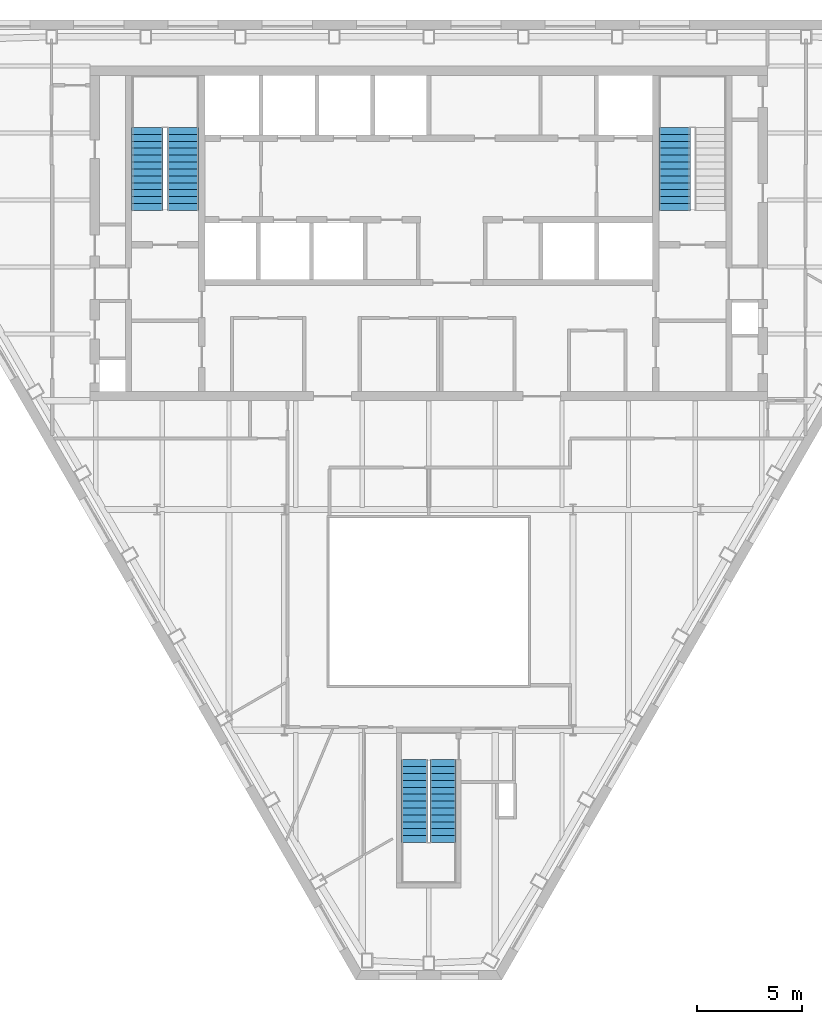
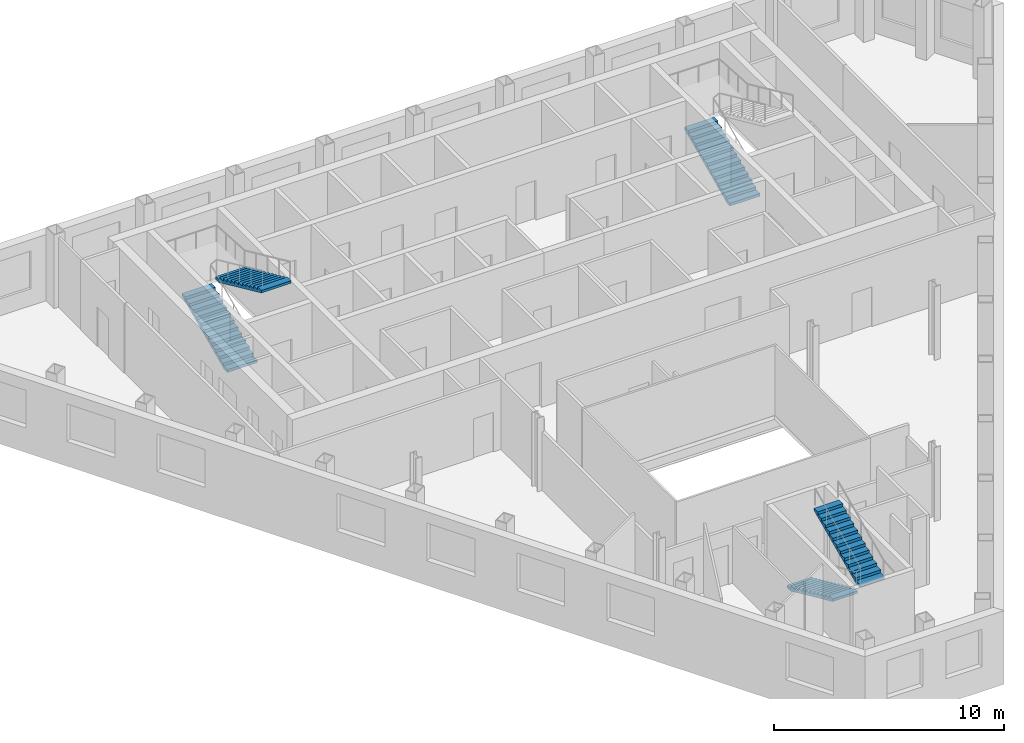
# One storey, part 9 of 11: 5 stair flights, 3 elements without a shape of their own.
"""IFC4 building model written with IfcOpenShell, lengths in metres."""

from ifc_helpers import new_model, si_unit, direction, frame, origin, place, context, subcontext, project, spatial, polygons, material, type_object, element, aggregate, save


model = new_model("IFC4")

# Units and contexts
model_context = context("Model", 3, precision=1e-05, world=origin(), true_north=direction((0.0, 1.0)))
body_context = subcontext(model_context, "Body", "Model", "MODEL_VIEW")
ifc_project = project(units=[si_unit("LENGTHUNIT", "METRE"), si_unit("AREAUNIT", "SQUARE_METRE"), si_unit("VOLUMEUNIT", "CUBIC_METRE"), si_unit("PLANEANGLEUNIT", "RADIAN"), si_unit("MASSUNIT", "GRAM", prefix="KILO")], contexts=[model_context])

# Site, building, storey
site_placement = place(None, origin())
site = spatial("IfcSite", under=ifc_project, at=site_placement, CompositionType="ELEMENT")
building_placement = place(site_placement, origin())
building = spatial("IfcBuilding", under=site, at=building_placement, Name="Njiva Tower", CompositionType="ELEMENT")
storey_placement = place(building_placement, frame((0.0, 0.0, 219.9)))
storey = spatial("IfcBuildingStorey", under=building, at=storey_placement, Name="L49", CompositionType="ELEMENT", Elevation=219.9)

# Stair, stair flights
ifc_material = material(Name="Concrete C40/50", Category="concrete")
stair_type_1 = type_object("IfcStairType", Name="ST1 Exit stair 1250", PredefinedType="HALF_TURN_STAIR", material=ifc_material)
stair_1_placement = place(storey_placement, origin())
stair_1 = element("IfcStair", 1, at=stair_1_placement, inside=storey, type_object=stair_type_1, Name="Stair C", PredefinedType="HALF_TURN_STAIR")
stair_flight_type_1 = type_object("IfcStairFlightType", Name="FL1 Stair flight 1250", PredefinedType="STRAIGHT", material=ifc_material)
stair_flight_1_placement = place(storey_placement, frame((-0.675, -15.16, 0.0), z_axis=(0.0, 0.0, 1.0), x_axis=(0.0, -1.0, 0.0)))
stair_flight_1 = element("IfcStairFlight", 2, at=stair_flight_1_placement, type_object=stair_flight_type_1, Name="ST-C flight 1", NumberOfRisers=13, NumberOfTreads=12, PredefinedType="STRAIGHT", RiserHeight=0.15, TreadLength=0.33, context=body_context, shape_type="Tessellation", body=[
    polygons([(0.0, 0.625, 0.0), (0.0, 0.3125, 0.0), (0.0, 0.0, 0.0), (0.0, -0.3125, 0.0), (0.0, -0.625, 0.0), (0.0, 0.625, 0.15), (0.0, 0.3125, 0.15), (0.0, 0.0, 0.15), (0.0, -0.3125, 0.15), (0.0, -0.625, 0.15), (0.33, 0.625, 0.15), (0.33, 0.3125, 0.15), (0.33, 0.0, 0.15), (0.33, -0.3125, 0.15), (0.33, -0.625, 0.15), (0.33, 0.625, 0.3), (0.33, 0.3125, 0.3), (0.33, 0.0, 0.3), (0.33, -0.3125, 0.3), (0.33, -0.625, 0.3), (0.66, 0.625, 0.3), (0.66, 0.3125, 0.3), (0.66, 0.0, 0.3), (0.66, -0.3125, 0.3), (0.66, -0.625, 0.3), (0.66, 0.625, 0.45), (0.66, 0.3125, 0.45), (0.66, 0.0, 0.45), (0.66, -0.3125, 0.45), (0.66, -0.625, 0.45), (0.99, 0.625, 0.45), (0.99, 0.3125, 0.45), (0.99, 0.0, 0.45), (0.99, -0.3125, 0.45), (0.99, -0.625, 0.45), (0.99, 0.625, 0.6), (0.99, 0.3125, 0.6), (0.99, 0.0, 0.6), (0.99, -0.3125, 0.6), (0.99, -0.625, 0.6), (1.32, 0.625, 0.6), (1.32, 0.3125, 0.6), (1.32, 0.0, 0.6), (1.32, -0.3125, 0.6), (1.32, -0.625, 0.6), (1.32, 0.625, 0.75), (1.32, 0.3125, 0.75), (1.32, 0.0, 0.75), (1.32, -0.3125, 0.75), (1.32, -0.625, 0.75), (1.65, 0.625, 0.75), (1.65, 0.3125, 0.75), (1.65, 0.0, 0.75), (1.65, -0.3125, 0.75), (1.65, -0.625, 0.75), (1.65, 0.625, 0.9), (1.65, 0.3125, 0.9), (1.65, 0.0, 0.9), (1.65, -0.3125, 0.9), (1.65, -0.625, 0.9), (1.98, 0.625, 0.9), (1.98, 0.3125, 0.9), (1.98, 0.0, 0.9), (1.98, -0.3125, 0.9), (1.98, -0.625, 0.9), (1.98, 0.625, 1.05), (1.98, 0.3125, 1.05), (1.98, 0.0, 1.05), (1.98, -0.3125, 1.05), (1.98, -0.625, 1.05), (2.31, 0.625, 1.05), (2.31, 0.3125, 1.05), (2.31, 0.0, 1.05), (2.31, -0.3125, 1.05), (2.31, -0.625, 1.05), (2.31, 0.625, 1.2), (2.31, 0.3125, 1.2), (2.31, 0.0, 1.2), (2.31, -0.3125, 1.2), (2.31, -0.625, 1.2), (2.64, 0.625, 1.2), (2.64, 0.3125, 1.2), (2.64, 0.0, 1.2), (2.64, -0.3125, 1.2), (2.64, -0.625, 1.2), (2.64, 0.625, 1.35), (2.64, 0.3125, 1.35), (2.64, 0.0, 1.35), (2.64, -0.3125, 1.35), (2.64, -0.625, 1.35), (2.97, 0.625, 1.35), (2.97, 0.3125, 1.35), (2.97, 0.0, 1.35), (2.97, -0.3125, 1.35), (2.97, -0.625, 1.35), (2.97, 0.625, 1.5), (2.97, 0.3125, 1.5), (2.97, 0.0, 1.5), (2.97, -0.3125, 1.5), (2.97, -0.625, 1.5), (3.3, 0.625, 1.5), (3.3, 0.3125, 1.5), (3.3, 0.0, 1.5), (3.3, -0.3125, 1.5), (3.3, -0.625, 1.5), (3.3, 0.625, 1.65), (3.3, 0.3125, 1.65), (3.3, 0.0, 1.65), (3.3, -0.3125, 1.65), (3.3, -0.625, 1.65), (3.63, 0.625, 1.65), (3.63, 0.3125, 1.65), (3.63, 0.0, 1.65), (3.63, -0.3125, 1.65), (3.63, -0.625, 1.65), (3.63, 0.625, 1.8), (3.63, 0.3125, 1.8), (3.63, 0.0, 1.8), (3.63, -0.3125, 1.8), (3.63, -0.625, 1.8), (3.96, 0.625, 1.8), (3.96, 0.3125, 1.8), (3.96, 0.0, 1.8), (3.96, -0.3125, 1.8), (3.96, -0.625, 1.8), (3.96, 0.625, 1.6682), (3.96, 0.3125, 1.6682), (3.96, 0.0, 1.6682), (3.96, -0.3125, 1.6682), (3.96, -0.625, 1.6682), (0.29, 0.625, 0.0), (0.29, 0.3125, 0.0), (0.29, 0.0, 0.0), (0.29, -0.3125, 0.0), (0.29, -0.625, 0.0)], [[[1, 6, 11, 16, 21, 26, 31, 36, 41, 46, 51, 56, 61, 66, 71, 76, 81, 86, 91, 96, 101, 106, 111, 116, 121, 126, 131]], [[135, 130, 125, 120, 115, 110, 105, 100, 95, 90, 85, 80, 75, 70, 65, 60, 55, 50, 45, 40, 35, 30, 25, 20, 15, 10, 5]], [[6, 1, 2, 7]], [[7, 2, 3, 8]], [[8, 3, 4, 9]], [[9, 4, 5, 10]], [[11, 6, 7, 12]], [[12, 7, 8, 13]], [[13, 8, 9, 14]], [[14, 9, 10, 15]], [[16, 11, 12, 17]], [[17, 12, 13, 18]], [[18, 13, 14, 19]], [[19, 14, 15, 20]], [[21, 16, 17, 22]], [[22, 17, 18, 23]], [[23, 18, 19, 24]], [[24, 19, 20, 25]], [[26, 21, 22, 27]], [[27, 22, 23, 28]], [[28, 23, 24, 29]], [[29, 24, 25, 30]], [[31, 26, 27, 32]], [[32, 27, 28, 33]], [[33, 28, 29, 34]], [[34, 29, 30, 35]], [[36, 31, 32, 37]], [[37, 32, 33, 38]], [[38, 33, 34, 39]], [[39, 34, 35, 40]], [[41, 36, 37, 42]], [[42, 37, 38, 43]], [[43, 38, 39, 44]], [[44, 39, 40, 45]], [[46, 41, 42, 47]], [[47, 42, 43, 48]], [[48, 43, 44, 49]], [[49, 44, 45, 50]], [[51, 46, 47, 52]], [[52, 47, 48, 53]], [[53, 48, 49, 54]], [[54, 49, 50, 55]], [[56, 51, 52, 57]], [[57, 52, 53, 58]], [[58, 53, 54, 59]], [[59, 54, 55, 60]], [[61, 56, 57, 62]], [[62, 57, 58, 63]], [[63, 58, 59, 64]], [[64, 59, 60, 65]], [[66, 61, 62, 67]], [[67, 62, 63, 68]], [[68, 63, 64, 69]], [[69, 64, 65, 70]], [[71, 66, 67, 72]], [[72, 67, 68, 73]], [[73, 68, 69, 74]], [[74, 69, 70, 75]], [[76, 71, 72, 77]], [[77, 72, 73, 78]], [[78, 73, 74, 79]], [[79, 74, 75, 80]], [[81, 76, 77, 82]], [[82, 77, 78, 83]], [[83, 78, 79, 84]], [[84, 79, 80, 85]], [[86, 81, 82, 87]], [[87, 82, 83, 88]], [[88, 83, 84, 89]], [[89, 84, 85, 90]], [[91, 86, 87, 92]], [[92, 87, 88, 93]], [[93, 88, 89, 94]], [[94, 89, 90, 95]], [[96, 91, 92, 97]], [[97, 92, 93, 98]], [[98, 93, 94, 99]], [[99, 94, 95, 100]], [[101, 96, 97, 102]], [[102, 97, 98, 103]], [[103, 98, 99, 104]], [[104, 99, 100, 105]], [[106, 101, 102, 107]], [[107, 102, 103, 108]], [[108, 103, 104, 109]], [[109, 104, 105, 110]], [[111, 106, 107, 112]], [[112, 107, 108, 113]], [[113, 108, 109, 114]], [[114, 109, 110, 115]], [[116, 111, 112, 117]], [[117, 112, 113, 118]], [[118, 113, 114, 119]], [[119, 114, 115, 120]], [[121, 116, 117, 122]], [[122, 117, 118, 123]], [[123, 118, 119, 124]], [[124, 119, 120, 125]], [[126, 121, 122, 127]], [[127, 122, 123, 128]], [[128, 123, 124, 129]], [[129, 124, 125, 130]], [[131, 126, 127, 132]], [[132, 127, 128, 133]], [[133, 128, 129, 134]], [[134, 129, 130, 135]], [[1, 131, 132, 2]], [[2, 132, 133, 3]], [[3, 133, 134, 4]], [[4, 134, 135, 5]]], closed=True),
])
stair_flight_2_placement = place(storey_placement, frame((0.675, -19.12, 1.95), z_axis=(0.0, 0.0, 1.0), x_axis=(0.0, 1.0, 0.0)))
stair_flight_2 = element("IfcStairFlight", 3, at=stair_flight_2_placement, type_object=stair_flight_type_1, Name="ST-C flight 2", NumberOfRisers=13, NumberOfTreads=12, PredefinedType="STRAIGHT", RiserHeight=0.15, TreadLength=0.33, context=body_context, shape_type="Tessellation", body=[
    polygons([(0.0, 0.625, 0.0), (0.0, 0.3125, 0.0), (0.0, 0.0, 0.0), (0.0, -0.3125, 0.0), (0.0, -0.625, 0.0), (0.0, 0.625, 0.15), (0.0, 0.3125, 0.15), (0.0, 0.0, 0.15), (0.0, -0.3125, 0.15), (0.0, -0.625, 0.15), (0.33, 0.625, 0.15), (0.33, 0.3125, 0.15), (0.33, 0.0, 0.15), (0.33, -0.3125, 0.15), (0.33, -0.625, 0.15), (0.33, 0.625, 0.3), (0.33, 0.3125, 0.3), (0.33, 0.0, 0.3), (0.33, -0.3125, 0.3), (0.33, -0.625, 0.3), (0.66, 0.625, 0.3), (0.66, 0.3125, 0.3), (0.66, 0.0, 0.3), (0.66, -0.3125, 0.3), (0.66, -0.625, 0.3), (0.66, 0.625, 0.45), (0.66, 0.3125, 0.45), (0.66, 0.0, 0.45), (0.66, -0.3125, 0.45), (0.66, -0.625, 0.45), (0.99, 0.625, 0.45), (0.99, 0.3125, 0.45), (0.99, 0.0, 0.45), (0.99, -0.3125, 0.45), (0.99, -0.625, 0.45), (0.99, 0.625, 0.6), (0.99, 0.3125, 0.6), (0.99, 0.0, 0.6), (0.99, -0.3125, 0.6), (0.99, -0.625, 0.6), (1.32, 0.625, 0.6), (1.32, 0.3125, 0.6), (1.32, 0.0, 0.6), (1.32, -0.3125, 0.6), (1.32, -0.625, 0.6), (1.32, 0.625, 0.75), (1.32, 0.3125, 0.75), (1.32, 0.0, 0.75), (1.32, -0.3125, 0.75), (1.32, -0.625, 0.75), (1.65, 0.625, 0.75), (1.65, 0.3125, 0.75), (1.65, 0.0, 0.75), (1.65, -0.3125, 0.75), (1.65, -0.625, 0.75), (1.65, 0.625, 0.9), (1.65, 0.3125, 0.9), (1.65, 0.0, 0.9), (1.65, -0.3125, 0.9), (1.65, -0.625, 0.9), (1.98, 0.625, 0.9), (1.98, 0.3125, 0.9), (1.98, 0.0, 0.9), (1.98, -0.3125, 0.9), (1.98, -0.625, 0.9), (1.98, 0.625, 1.05), (1.98, 0.3125, 1.05), (1.98, 0.0, 1.05), (1.98, -0.3125, 1.05), (1.98, -0.625, 1.05), (2.31, 0.625, 1.05), (2.31, 0.3125, 1.05), (2.31, 0.0, 1.05), (2.31, -0.3125, 1.05), (2.31, -0.625, 1.05), (2.31, 0.625, 1.2), (2.31, 0.3125, 1.2), (2.31, 0.0, 1.2), (2.31, -0.3125, 1.2), (2.31, -0.625, 1.2), (2.64, 0.625, 1.2), (2.64, 0.3125, 1.2), (2.64, 0.0, 1.2), (2.64, -0.3125, 1.2), (2.64, -0.625, 1.2), (2.64, 0.625, 1.35), (2.64, 0.3125, 1.35), (2.64, 0.0, 1.35), (2.64, -0.3125, 1.35), (2.64, -0.625, 1.35), (2.97, 0.625, 1.35), (2.97, 0.3125, 1.35), (2.97, 0.0, 1.35), (2.97, -0.3125, 1.35), (2.97, -0.625, 1.35), (2.97, 0.625, 1.5), (2.97, 0.3125, 1.5), (2.97, 0.0, 1.5), (2.97, -0.3125, 1.5), (2.97, -0.625, 1.5), (3.3, 0.625, 1.5), (3.3, 0.3125, 1.5), (3.3, 0.0, 1.5), (3.3, -0.3125, 1.5), (3.3, -0.625, 1.5), (3.3, 0.625, 1.65), (3.3, 0.3125, 1.65), (3.3, 0.0, 1.65), (3.3, -0.3125, 1.65), (3.3, -0.625, 1.65), (3.63, 0.625, 1.65), (3.63, 0.3125, 1.65), (3.63, 0.0, 1.65), (3.63, -0.3125, 1.65), (3.63, -0.625, 1.65), (3.63, 0.625, 1.8), (3.63, 0.3125, 1.8), (3.63, 0.0, 1.8), (3.63, -0.3125, 1.8), (3.63, -0.625, 1.8), (3.96, 0.625, 1.8), (3.96, 0.3125, 1.8), (3.96, 0.0, 1.8), (3.96, -0.3125, 1.8), (3.96, -0.625, 1.8), (3.96, 0.625, 1.6682), (3.96, 0.3125, 1.6682), (3.96, 0.0, 1.6682), (3.96, -0.3125, 1.6682), (3.96, -0.625, 1.6682), (0.29, 0.625, 0.0), (0.29, 0.3125, 0.0), (0.29, 0.0, 0.0), (0.29, -0.3125, 0.0), (0.29, -0.625, 0.0)], [[[1, 6, 11, 16, 21, 26, 31, 36, 41, 46, 51, 56, 61, 66, 71, 76, 81, 86, 91, 96, 101, 106, 111, 116, 121, 126, 131]], [[135, 130, 125, 120, 115, 110, 105, 100, 95, 90, 85, 80, 75, 70, 65, 60, 55, 50, 45, 40, 35, 30, 25, 20, 15, 10, 5]], [[6, 1, 2, 7]], [[7, 2, 3, 8]], [[8, 3, 4, 9]], [[9, 4, 5, 10]], [[11, 6, 7, 12]], [[12, 7, 8, 13]], [[13, 8, 9, 14]], [[14, 9, 10, 15]], [[16, 11, 12, 17]], [[17, 12, 13, 18]], [[18, 13, 14, 19]], [[19, 14, 15, 20]], [[21, 16, 17, 22]], [[22, 17, 18, 23]], [[23, 18, 19, 24]], [[24, 19, 20, 25]], [[26, 21, 22, 27]], [[27, 22, 23, 28]], [[28, 23, 24, 29]], [[29, 24, 25, 30]], [[31, 26, 27, 32]], [[32, 27, 28, 33]], [[33, 28, 29, 34]], [[34, 29, 30, 35]], [[36, 31, 32, 37]], [[37, 32, 33, 38]], [[38, 33, 34, 39]], [[39, 34, 35, 40]], [[41, 36, 37, 42]], [[42, 37, 38, 43]], [[43, 38, 39, 44]], [[44, 39, 40, 45]], [[46, 41, 42, 47]], [[47, 42, 43, 48]], [[48, 43, 44, 49]], [[49, 44, 45, 50]], [[51, 46, 47, 52]], [[52, 47, 48, 53]], [[53, 48, 49, 54]], [[54, 49, 50, 55]], [[56, 51, 52, 57]], [[57, 52, 53, 58]], [[58, 53, 54, 59]], [[59, 54, 55, 60]], [[61, 56, 57, 62]], [[62, 57, 58, 63]], [[63, 58, 59, 64]], [[64, 59, 60, 65]], [[66, 61, 62, 67]], [[67, 62, 63, 68]], [[68, 63, 64, 69]], [[69, 64, 65, 70]], [[71, 66, 67, 72]], [[72, 67, 68, 73]], [[73, 68, 69, 74]], [[74, 69, 70, 75]], [[76, 71, 72, 77]], [[77, 72, 73, 78]], [[78, 73, 74, 79]], [[79, 74, 75, 80]], [[81, 76, 77, 82]], [[82, 77, 78, 83]], [[83, 78, 79, 84]], [[84, 79, 80, 85]], [[86, 81, 82, 87]], [[87, 82, 83, 88]], [[88, 83, 84, 89]], [[89, 84, 85, 90]], [[91, 86, 87, 92]], [[92, 87, 88, 93]], [[93, 88, 89, 94]], [[94, 89, 90, 95]], [[96, 91, 92, 97]], [[97, 92, 93, 98]], [[98, 93, 94, 99]], [[99, 94, 95, 100]], [[101, 96, 97, 102]], [[102, 97, 98, 103]], [[103, 98, 99, 104]], [[104, 99, 100, 105]], [[106, 101, 102, 107]], [[107, 102, 103, 108]], [[108, 103, 104, 109]], [[109, 104, 105, 110]], [[111, 106, 107, 112]], [[112, 107, 108, 113]], [[113, 108, 109, 114]], [[114, 109, 110, 115]], [[116, 111, 112, 117]], [[117, 112, 113, 118]], [[118, 113, 114, 119]], [[119, 114, 115, 120]], [[121, 116, 117, 122]], [[122, 117, 118, 123]], [[123, 118, 119, 124]], [[124, 119, 120, 125]], [[126, 121, 122, 127]], [[127, 122, 123, 128]], [[128, 123, 124, 129]], [[129, 124, 125, 130]], [[131, 126, 127, 132]], [[132, 127, 128, 133]], [[133, 128, 129, 134]], [[134, 129, 130, 135]], [[1, 131, 132, 2]], [[2, 132, 133, 3]], [[3, 133, 134, 4]], [[4, 134, 135, 5]]], closed=True),
])
aggregate(stair_1, [stair_flight_1, stair_flight_2])

stair_type_2 = type_object("IfcStairType", Name="ST4 Exit stair 1500", PredefinedType="HALF_TURN_STAIR", material=ifc_material)
stair_2_placement = place(storey_placement, origin())
stair_2 = element("IfcStair", 4, at=stair_2_placement, inside=storey, type_object=stair_type_2, Name="Stair A", PredefinedType="HALF_TURN_STAIR")
stair_flight_type_2 = type_object("IfcStairFlightType", Name="FL4 Stair flight 1500", PredefinedType="STRAIGHT", material=ifc_material)
stair_flight_3_placement = place(storey_placement, frame((-13.45, 11.1, 0.0), z_axis=(0.0, 0.0, 1.0), x_axis=(0.0, 1.0, 0.0)))
stair_flight_3 = element("IfcStairFlight", 5, at=stair_flight_3_placement, type_object=stair_flight_type_2, Name="ST-A flight 1", NumberOfRisers=13, NumberOfTreads=12, PredefinedType="STRAIGHT", RiserHeight=0.15, TreadLength=0.33, context=body_context, shape_type="Tessellation", body=[
    polygons([(0.0, 0.75, 0.0), (0.0, 0.375, 0.0), (0.0, 0.0, 0.0), (0.0, -0.375, 0.0), (0.0, -0.75, 0.0), (0.0, 0.75, 0.15), (0.0, 0.375, 0.15), (0.0, 0.0, 0.15), (0.0, -0.375, 0.15), (0.0, -0.75, 0.15), (0.33, 0.75, 0.15), (0.33, 0.375, 0.15), (0.33, 0.0, 0.15), (0.33, -0.375, 0.15), (0.33, -0.75, 0.15), (0.33, 0.75, 0.3), (0.33, 0.375, 0.3), (0.33, 0.0, 0.3), (0.33, -0.375, 0.3), (0.33, -0.75, 0.3), (0.66, 0.75, 0.3), (0.66, 0.375, 0.3), (0.66, 0.0, 0.3), (0.66, -0.375, 0.3), (0.66, -0.75, 0.3), (0.66, 0.75, 0.45), (0.66, 0.375, 0.45), (0.66, 0.0, 0.45), (0.66, -0.375, 0.45), (0.66, -0.75, 0.45), (0.99, 0.75, 0.45), (0.99, 0.375, 0.45), (0.99, 0.0, 0.45), (0.99, -0.375, 0.45), (0.99, -0.75, 0.45), (0.99, 0.75, 0.6), (0.99, 0.375, 0.6), (0.99, 0.0, 0.6), (0.99, -0.375, 0.6), (0.99, -0.75, 0.6), (1.32, 0.75, 0.6), (1.32, 0.375, 0.6), (1.32, 0.0, 0.6), (1.32, -0.375, 0.6), (1.32, -0.75, 0.6), (1.32, 0.75, 0.75), (1.32, 0.375, 0.75), (1.32, 0.0, 0.75), (1.32, -0.375, 0.75), (1.32, -0.75, 0.75), (1.65, 0.75, 0.75), (1.65, 0.375, 0.75), (1.65, 0.0, 0.75), (1.65, -0.375, 0.75), (1.65, -0.75, 0.75), (1.65, 0.75, 0.9), (1.65, 0.375, 0.9), (1.65, 0.0, 0.9), (1.65, -0.375, 0.9), (1.65, -0.75, 0.9), (1.98, 0.75, 0.9), (1.98, 0.375, 0.9), (1.98, 0.0, 0.9), (1.98, -0.375, 0.9), (1.98, -0.75, 0.9), (1.98, 0.75, 1.05), (1.98, 0.375, 1.05), (1.98, 0.0, 1.05), (1.98, -0.375, 1.05), (1.98, -0.75, 1.05), (2.31, 0.75, 1.05), (2.31, 0.375, 1.05), (2.31, 0.0, 1.05), (2.31, -0.375, 1.05), (2.31, -0.75, 1.05), (2.31, 0.75, 1.2), (2.31, 0.375, 1.2), (2.31, 0.0, 1.2), (2.31, -0.375, 1.2), (2.31, -0.75, 1.2), (2.64, 0.75, 1.2), (2.64, 0.375, 1.2), (2.64, 0.0, 1.2), (2.64, -0.375, 1.2), (2.64, -0.75, 1.2), (2.64, 0.75, 1.35), (2.64, 0.375, 1.35), (2.64, 0.0, 1.35), (2.64, -0.375, 1.35), (2.64, -0.75, 1.35), (2.97, 0.75, 1.35), (2.97, 0.375, 1.35), (2.97, 0.0, 1.35), (2.97, -0.375, 1.35), (2.97, -0.75, 1.35), (2.97, 0.75, 1.5), (2.97, 0.375, 1.5), (2.97, 0.0, 1.5), (2.97, -0.375, 1.5), (2.97, -0.75, 1.5), (3.3, 0.75, 1.5), (3.3, 0.375, 1.5), (3.3, 0.0, 1.5), (3.3, -0.375, 1.5), (3.3, -0.75, 1.5), (3.3, 0.75, 1.65), (3.3, 0.375, 1.65), (3.3, 0.0, 1.65), (3.3, -0.375, 1.65), (3.3, -0.75, 1.65), (3.63, 0.75, 1.65), (3.63, 0.375, 1.65), (3.63, 0.0, 1.65), (3.63, -0.375, 1.65), (3.63, -0.75, 1.65), (3.63, 0.75, 1.8), (3.63, 0.375, 1.8), (3.63, 0.0, 1.8), (3.63, -0.375, 1.8), (3.63, -0.75, 1.8), (3.96, 0.75, 1.8), (3.96, 0.375, 1.8), (3.96, 0.0, 1.8), (3.96, -0.375, 1.8), (3.96, -0.75, 1.8), (3.96, 0.75, 1.6682), (3.96, 0.375, 1.6682), (3.96, 0.0, 1.6682), (3.96, -0.375, 1.6682), (3.96, -0.75, 1.6682), (0.29, 0.75, 0.0), (0.29, 0.375, 0.0), (0.29, 0.0, 0.0), (0.29, -0.375, 0.0), (0.29, -0.75, 0.0)], [[[1, 6, 11, 16, 21, 26, 31, 36, 41, 46, 51, 56, 61, 66, 71, 76, 81, 86, 91, 96, 101, 106, 111, 116, 121, 126, 131]], [[135, 130, 125, 120, 115, 110, 105, 100, 95, 90, 85, 80, 75, 70, 65, 60, 55, 50, 45, 40, 35, 30, 25, 20, 15, 10, 5]], [[6, 1, 2, 7]], [[7, 2, 3, 8]], [[8, 3, 4, 9]], [[9, 4, 5, 10]], [[11, 6, 7, 12]], [[12, 7, 8, 13]], [[13, 8, 9, 14]], [[14, 9, 10, 15]], [[16, 11, 12, 17]], [[17, 12, 13, 18]], [[18, 13, 14, 19]], [[19, 14, 15, 20]], [[21, 16, 17, 22]], [[22, 17, 18, 23]], [[23, 18, 19, 24]], [[24, 19, 20, 25]], [[26, 21, 22, 27]], [[27, 22, 23, 28]], [[28, 23, 24, 29]], [[29, 24, 25, 30]], [[31, 26, 27, 32]], [[32, 27, 28, 33]], [[33, 28, 29, 34]], [[34, 29, 30, 35]], [[36, 31, 32, 37]], [[37, 32, 33, 38]], [[38, 33, 34, 39]], [[39, 34, 35, 40]], [[41, 36, 37, 42]], [[42, 37, 38, 43]], [[43, 38, 39, 44]], [[44, 39, 40, 45]], [[46, 41, 42, 47]], [[47, 42, 43, 48]], [[48, 43, 44, 49]], [[49, 44, 45, 50]], [[51, 46, 47, 52]], [[52, 47, 48, 53]], [[53, 48, 49, 54]], [[54, 49, 50, 55]], [[56, 51, 52, 57]], [[57, 52, 53, 58]], [[58, 53, 54, 59]], [[59, 54, 55, 60]], [[61, 56, 57, 62]], [[62, 57, 58, 63]], [[63, 58, 59, 64]], [[64, 59, 60, 65]], [[66, 61, 62, 67]], [[67, 62, 63, 68]], [[68, 63, 64, 69]], [[69, 64, 65, 70]], [[71, 66, 67, 72]], [[72, 67, 68, 73]], [[73, 68, 69, 74]], [[74, 69, 70, 75]], [[76, 71, 72, 77]], [[77, 72, 73, 78]], [[78, 73, 74, 79]], [[79, 74, 75, 80]], [[81, 76, 77, 82]], [[82, 77, 78, 83]], [[83, 78, 79, 84]], [[84, 79, 80, 85]], [[86, 81, 82, 87]], [[87, 82, 83, 88]], [[88, 83, 84, 89]], [[89, 84, 85, 90]], [[91, 86, 87, 92]], [[92, 87, 88, 93]], [[93, 88, 89, 94]], [[94, 89, 90, 95]], [[96, 91, 92, 97]], [[97, 92, 93, 98]], [[98, 93, 94, 99]], [[99, 94, 95, 100]], [[101, 96, 97, 102]], [[102, 97, 98, 103]], [[103, 98, 99, 104]], [[104, 99, 100, 105]], [[106, 101, 102, 107]], [[107, 102, 103, 108]], [[108, 103, 104, 109]], [[109, 104, 105, 110]], [[111, 106, 107, 112]], [[112, 107, 108, 113]], [[113, 108, 109, 114]], [[114, 109, 110, 115]], [[116, 111, 112, 117]], [[117, 112, 113, 118]], [[118, 113, 114, 119]], [[119, 114, 115, 120]], [[121, 116, 117, 122]], [[122, 117, 118, 123]], [[123, 118, 119, 124]], [[124, 119, 120, 125]], [[126, 121, 122, 127]], [[127, 122, 123, 128]], [[128, 123, 124, 129]], [[129, 124, 125, 130]], [[131, 126, 127, 132]], [[132, 127, 128, 133]], [[133, 128, 129, 134]], [[134, 129, 130, 135]], [[1, 131, 132, 2]], [[2, 132, 133, 3]], [[3, 133, 134, 4]], [[4, 134, 135, 5]]], closed=True),
])
stair_flight_4_placement = place(storey_placement, frame((-11.75, 15.06, 1.95), z_axis=(0.0, 0.0, 1.0), x_axis=(0.0, -1.0, 0.0)))
stair_flight_4 = element("IfcStairFlight", 6, at=stair_flight_4_placement, type_object=stair_flight_type_2, Name="ST-A flight 2", NumberOfRisers=13, NumberOfTreads=12, PredefinedType="STRAIGHT", RiserHeight=0.15, TreadLength=0.33, context=body_context, shape_type="Tessellation", body=[
    polygons([(0.0, 0.75, 0.0), (0.0, 0.375, 0.0), (0.0, 0.0, 0.0), (0.0, -0.375, 0.0), (0.0, -0.75, 0.0), (0.0, 0.75, 0.15), (0.0, 0.375, 0.15), (0.0, 0.0, 0.15), (0.0, -0.375, 0.15), (0.0, -0.75, 0.15), (0.33, 0.75, 0.15), (0.33, 0.375, 0.15), (0.33, 0.0, 0.15), (0.33, -0.375, 0.15), (0.33, -0.75, 0.15), (0.33, 0.75, 0.3), (0.33, 0.375, 0.3), (0.33, 0.0, 0.3), (0.33, -0.375, 0.3), (0.33, -0.75, 0.3), (0.66, 0.75, 0.3), (0.66, 0.375, 0.3), (0.66, 0.0, 0.3), (0.66, -0.375, 0.3), (0.66, -0.75, 0.3), (0.66, 0.75, 0.45), (0.66, 0.375, 0.45), (0.66, 0.0, 0.45), (0.66, -0.375, 0.45), (0.66, -0.75, 0.45), (0.99, 0.75, 0.45), (0.99, 0.375, 0.45), (0.99, 0.0, 0.45), (0.99, -0.375, 0.45), (0.99, -0.75, 0.45), (0.99, 0.75, 0.6), (0.99, 0.375, 0.6), (0.99, 0.0, 0.6), (0.99, -0.375, 0.6), (0.99, -0.75, 0.6), (1.32, 0.75, 0.6), (1.32, 0.375, 0.6), (1.32, 0.0, 0.6), (1.32, -0.375, 0.6), (1.32, -0.75, 0.6), (1.32, 0.75, 0.75), (1.32, 0.375, 0.75), (1.32, 0.0, 0.75), (1.32, -0.375, 0.75), (1.32, -0.75, 0.75), (1.65, 0.75, 0.75), (1.65, 0.375, 0.75), (1.65, 0.0, 0.75), (1.65, -0.375, 0.75), (1.65, -0.75, 0.75), (1.65, 0.75, 0.9), (1.65, 0.375, 0.9), (1.65, 0.0, 0.9), (1.65, -0.375, 0.9), (1.65, -0.75, 0.9), (1.98, 0.75, 0.9), (1.98, 0.375, 0.9), (1.98, 0.0, 0.9), (1.98, -0.375, 0.9), (1.98, -0.75, 0.9), (1.98, 0.75, 1.05), (1.98, 0.375, 1.05), (1.98, 0.0, 1.05), (1.98, -0.375, 1.05), (1.98, -0.75, 1.05), (2.31, 0.75, 1.05), (2.31, 0.375, 1.05), (2.31, 0.0, 1.05), (2.31, -0.375, 1.05), (2.31, -0.75, 1.05), (2.31, 0.75, 1.2), (2.31, 0.375, 1.2), (2.31, 0.0, 1.2), (2.31, -0.375, 1.2), (2.31, -0.75, 1.2), (2.64, 0.75, 1.2), (2.64, 0.375, 1.2), (2.64, 0.0, 1.2), (2.64, -0.375, 1.2), (2.64, -0.75, 1.2), (2.64, 0.75, 1.35), (2.64, 0.375, 1.35), (2.64, 0.0, 1.35), (2.64, -0.375, 1.35), (2.64, -0.75, 1.35), (2.97, 0.75, 1.35), (2.97, 0.375, 1.35), (2.97, 0.0, 1.35), (2.97, -0.375, 1.35), (2.97, -0.75, 1.35), (2.97, 0.75, 1.5), (2.97, 0.375, 1.5), (2.97, 0.0, 1.5), (2.97, -0.375, 1.5), (2.97, -0.75, 1.5), (3.3, 0.75, 1.5), (3.3, 0.375, 1.5), (3.3, 0.0, 1.5), (3.3, -0.375, 1.5), (3.3, -0.75, 1.5), (3.3, 0.75, 1.65), (3.3, 0.375, 1.65), (3.3, 0.0, 1.65), (3.3, -0.375, 1.65), (3.3, -0.75, 1.65), (3.63, 0.75, 1.65), (3.63, 0.375, 1.65), (3.63, 0.0, 1.65), (3.63, -0.375, 1.65), (3.63, -0.75, 1.65), (3.63, 0.75, 1.8), (3.63, 0.375, 1.8), (3.63, 0.0, 1.8), (3.63, -0.375, 1.8), (3.63, -0.75, 1.8), (3.96, 0.75, 1.8), (3.96, 0.375, 1.8), (3.96, 0.0, 1.8), (3.96, -0.375, 1.8), (3.96, -0.75, 1.8), (3.96, 0.75, 1.6682), (3.96, 0.375, 1.6682), (3.96, 0.0, 1.6682), (3.96, -0.375, 1.6682), (3.96, -0.75, 1.6682), (0.29, 0.75, 0.0), (0.29, 0.375, 0.0), (0.29, 0.0, 0.0), (0.29, -0.375, 0.0), (0.29, -0.75, 0.0)], [[[1, 6, 11, 16, 21, 26, 31, 36, 41, 46, 51, 56, 61, 66, 71, 76, 81, 86, 91, 96, 101, 106, 111, 116, 121, 126, 131]], [[135, 130, 125, 120, 115, 110, 105, 100, 95, 90, 85, 80, 75, 70, 65, 60, 55, 50, 45, 40, 35, 30, 25, 20, 15, 10, 5]], [[6, 1, 2, 7]], [[7, 2, 3, 8]], [[8, 3, 4, 9]], [[9, 4, 5, 10]], [[11, 6, 7, 12]], [[12, 7, 8, 13]], [[13, 8, 9, 14]], [[14, 9, 10, 15]], [[16, 11, 12, 17]], [[17, 12, 13, 18]], [[18, 13, 14, 19]], [[19, 14, 15, 20]], [[21, 16, 17, 22]], [[22, 17, 18, 23]], [[23, 18, 19, 24]], [[24, 19, 20, 25]], [[26, 21, 22, 27]], [[27, 22, 23, 28]], [[28, 23, 24, 29]], [[29, 24, 25, 30]], [[31, 26, 27, 32]], [[32, 27, 28, 33]], [[33, 28, 29, 34]], [[34, 29, 30, 35]], [[36, 31, 32, 37]], [[37, 32, 33, 38]], [[38, 33, 34, 39]], [[39, 34, 35, 40]], [[41, 36, 37, 42]], [[42, 37, 38, 43]], [[43, 38, 39, 44]], [[44, 39, 40, 45]], [[46, 41, 42, 47]], [[47, 42, 43, 48]], [[48, 43, 44, 49]], [[49, 44, 45, 50]], [[51, 46, 47, 52]], [[52, 47, 48, 53]], [[53, 48, 49, 54]], [[54, 49, 50, 55]], [[56, 51, 52, 57]], [[57, 52, 53, 58]], [[58, 53, 54, 59]], [[59, 54, 55, 60]], [[61, 56, 57, 62]], [[62, 57, 58, 63]], [[63, 58, 59, 64]], [[64, 59, 60, 65]], [[66, 61, 62, 67]], [[67, 62, 63, 68]], [[68, 63, 64, 69]], [[69, 64, 65, 70]], [[71, 66, 67, 72]], [[72, 67, 68, 73]], [[73, 68, 69, 74]], [[74, 69, 70, 75]], [[76, 71, 72, 77]], [[77, 72, 73, 78]], [[78, 73, 74, 79]], [[79, 74, 75, 80]], [[81, 76, 77, 82]], [[82, 77, 78, 83]], [[83, 78, 79, 84]], [[84, 79, 80, 85]], [[86, 81, 82, 87]], [[87, 82, 83, 88]], [[88, 83, 84, 89]], [[89, 84, 85, 90]], [[91, 86, 87, 92]], [[92, 87, 88, 93]], [[93, 88, 89, 94]], [[94, 89, 90, 95]], [[96, 91, 92, 97]], [[97, 92, 93, 98]], [[98, 93, 94, 99]], [[99, 94, 95, 100]], [[101, 96, 97, 102]], [[102, 97, 98, 103]], [[103, 98, 99, 104]], [[104, 99, 100, 105]], [[106, 101, 102, 107]], [[107, 102, 103, 108]], [[108, 103, 104, 109]], [[109, 104, 105, 110]], [[111, 106, 107, 112]], [[112, 107, 108, 113]], [[113, 108, 109, 114]], [[114, 109, 110, 115]], [[116, 111, 112, 117]], [[117, 112, 113, 118]], [[118, 113, 114, 119]], [[119, 114, 115, 120]], [[121, 116, 117, 122]], [[122, 117, 118, 123]], [[123, 118, 119, 124]], [[124, 119, 120, 125]], [[126, 121, 122, 127]], [[127, 122, 123, 128]], [[128, 123, 124, 129]], [[129, 124, 125, 130]], [[131, 126, 127, 132]], [[132, 127, 128, 133]], [[133, 128, 129, 134]], [[134, 129, 130, 135]], [[1, 131, 132, 2]], [[2, 132, 133, 3]], [[3, 133, 134, 4]], [[4, 134, 135, 5]]], closed=True),
])
aggregate(stair_2, [stair_flight_3, stair_flight_4])

# Stair, stair flight
stair_3_placement = place(storey_placement, origin())
stair_3 = element("IfcStair", 7, at=stair_3_placement, inside=storey, type_object=stair_type_2, Name="Stair B", PredefinedType="HALF_TURN_STAIR")
stair_flight_5_placement = place(storey_placement, frame((11.75, 11.1, 0.0), z_axis=(0.0, 0.0, 1.0), x_axis=(0.0, 1.0, 0.0)))
stair_flight_5 = element("IfcStairFlight", 8, at=stair_flight_5_placement, type_object=stair_flight_type_2, Name="ST-B flight 1", NumberOfRisers=13, NumberOfTreads=12, PredefinedType="STRAIGHT", RiserHeight=0.15, TreadLength=0.33, context=body_context, shape_type="Tessellation", body=[
    polygons([(0.0, 0.75, 0.0), (0.0, 0.375, 0.0), (0.0, 0.0, 0.0), (0.0, -0.375, 0.0), (0.0, -0.75, 0.0), (0.0, 0.75, 0.15), (0.0, 0.375, 0.15), (0.0, 0.0, 0.15), (0.0, -0.375, 0.15), (0.0, -0.75, 0.15), (0.33, 0.75, 0.15), (0.33, 0.375, 0.15), (0.33, 0.0, 0.15), (0.33, -0.375, 0.15), (0.33, -0.75, 0.15), (0.33, 0.75, 0.3), (0.33, 0.375, 0.3), (0.33, 0.0, 0.3), (0.33, -0.375, 0.3), (0.33, -0.75, 0.3), (0.66, 0.75, 0.3), (0.66, 0.375, 0.3), (0.66, 0.0, 0.3), (0.66, -0.375, 0.3), (0.66, -0.75, 0.3), (0.66, 0.75, 0.45), (0.66, 0.375, 0.45), (0.66, 0.0, 0.45), (0.66, -0.375, 0.45), (0.66, -0.75, 0.45), (0.99, 0.75, 0.45), (0.99, 0.375, 0.45), (0.99, 0.0, 0.45), (0.99, -0.375, 0.45), (0.99, -0.75, 0.45), (0.99, 0.75, 0.6), (0.99, 0.375, 0.6), (0.99, 0.0, 0.6), (0.99, -0.375, 0.6), (0.99, -0.75, 0.6), (1.32, 0.75, 0.6), (1.32, 0.375, 0.6), (1.32, 0.0, 0.6), (1.32, -0.375, 0.6), (1.32, -0.75, 0.6), (1.32, 0.75, 0.75), (1.32, 0.375, 0.75), (1.32, 0.0, 0.75), (1.32, -0.375, 0.75), (1.32, -0.75, 0.75), (1.65, 0.75, 0.75), (1.65, 0.375, 0.75), (1.65, 0.0, 0.75), (1.65, -0.375, 0.75), (1.65, -0.75, 0.75), (1.65, 0.75, 0.9), (1.65, 0.375, 0.9), (1.65, 0.0, 0.9), (1.65, -0.375, 0.9), (1.65, -0.75, 0.9), (1.98, 0.75, 0.9), (1.98, 0.375, 0.9), (1.98, 0.0, 0.9), (1.98, -0.375, 0.9), (1.98, -0.75, 0.9), (1.98, 0.75, 1.05), (1.98, 0.375, 1.05), (1.98, 0.0, 1.05), (1.98, -0.375, 1.05), (1.98, -0.75, 1.05), (2.31, 0.75, 1.05), (2.31, 0.375, 1.05), (2.31, 0.0, 1.05), (2.31, -0.375, 1.05), (2.31, -0.75, 1.05), (2.31, 0.75, 1.2), (2.31, 0.375, 1.2), (2.31, 0.0, 1.2), (2.31, -0.375, 1.2), (2.31, -0.75, 1.2), (2.64, 0.75, 1.2), (2.64, 0.375, 1.2), (2.64, 0.0, 1.2), (2.64, -0.375, 1.2), (2.64, -0.75, 1.2), (2.64, 0.75, 1.35), (2.64, 0.375, 1.35), (2.64, 0.0, 1.35), (2.64, -0.375, 1.35), (2.64, -0.75, 1.35), (2.97, 0.75, 1.35), (2.97, 0.375, 1.35), (2.97, 0.0, 1.35), (2.97, -0.375, 1.35), (2.97, -0.75, 1.35), (2.97, 0.75, 1.5), (2.97, 0.375, 1.5), (2.97, 0.0, 1.5), (2.97, -0.375, 1.5), (2.97, -0.75, 1.5), (3.3, 0.75, 1.5), (3.3, 0.375, 1.5), (3.3, 0.0, 1.5), (3.3, -0.375, 1.5), (3.3, -0.75, 1.5), (3.3, 0.75, 1.65), (3.3, 0.375, 1.65), (3.3, 0.0, 1.65), (3.3, -0.375, 1.65), (3.3, -0.75, 1.65), (3.63, 0.75, 1.65), (3.63, 0.375, 1.65), (3.63, 0.0, 1.65), (3.63, -0.375, 1.65), (3.63, -0.75, 1.65), (3.63, 0.75, 1.8), (3.63, 0.375, 1.8), (3.63, 0.0, 1.8), (3.63, -0.375, 1.8), (3.63, -0.75, 1.8), (3.96, 0.75, 1.8), (3.96, 0.375, 1.8), (3.96, 0.0, 1.8), (3.96, -0.375, 1.8), (3.96, -0.75, 1.8), (3.96, 0.75, 1.6682), (3.96, 0.375, 1.6682), (3.96, 0.0, 1.6682), (3.96, -0.375, 1.6682), (3.96, -0.75, 1.6682), (0.29, 0.75, 0.0), (0.29, 0.375, 0.0), (0.29, 0.0, 0.0), (0.29, -0.375, 0.0), (0.29, -0.75, 0.0)], [[[1, 6, 11, 16, 21, 26, 31, 36, 41, 46, 51, 56, 61, 66, 71, 76, 81, 86, 91, 96, 101, 106, 111, 116, 121, 126, 131]], [[135, 130, 125, 120, 115, 110, 105, 100, 95, 90, 85, 80, 75, 70, 65, 60, 55, 50, 45, 40, 35, 30, 25, 20, 15, 10, 5]], [[6, 1, 2, 7]], [[7, 2, 3, 8]], [[8, 3, 4, 9]], [[9, 4, 5, 10]], [[11, 6, 7, 12]], [[12, 7, 8, 13]], [[13, 8, 9, 14]], [[14, 9, 10, 15]], [[16, 11, 12, 17]], [[17, 12, 13, 18]], [[18, 13, 14, 19]], [[19, 14, 15, 20]], [[21, 16, 17, 22]], [[22, 17, 18, 23]], [[23, 18, 19, 24]], [[24, 19, 20, 25]], [[26, 21, 22, 27]], [[27, 22, 23, 28]], [[28, 23, 24, 29]], [[29, 24, 25, 30]], [[31, 26, 27, 32]], [[32, 27, 28, 33]], [[33, 28, 29, 34]], [[34, 29, 30, 35]], [[36, 31, 32, 37]], [[37, 32, 33, 38]], [[38, 33, 34, 39]], [[39, 34, 35, 40]], [[41, 36, 37, 42]], [[42, 37, 38, 43]], [[43, 38, 39, 44]], [[44, 39, 40, 45]], [[46, 41, 42, 47]], [[47, 42, 43, 48]], [[48, 43, 44, 49]], [[49, 44, 45, 50]], [[51, 46, 47, 52]], [[52, 47, 48, 53]], [[53, 48, 49, 54]], [[54, 49, 50, 55]], [[56, 51, 52, 57]], [[57, 52, 53, 58]], [[58, 53, 54, 59]], [[59, 54, 55, 60]], [[61, 56, 57, 62]], [[62, 57, 58, 63]], [[63, 58, 59, 64]], [[64, 59, 60, 65]], [[66, 61, 62, 67]], [[67, 62, 63, 68]], [[68, 63, 64, 69]], [[69, 64, 65, 70]], [[71, 66, 67, 72]], [[72, 67, 68, 73]], [[73, 68, 69, 74]], [[74, 69, 70, 75]], [[76, 71, 72, 77]], [[77, 72, 73, 78]], [[78, 73, 74, 79]], [[79, 74, 75, 80]], [[81, 76, 77, 82]], [[82, 77, 78, 83]], [[83, 78, 79, 84]], [[84, 79, 80, 85]], [[86, 81, 82, 87]], [[87, 82, 83, 88]], [[88, 83, 84, 89]], [[89, 84, 85, 90]], [[91, 86, 87, 92]], [[92, 87, 88, 93]], [[93, 88, 89, 94]], [[94, 89, 90, 95]], [[96, 91, 92, 97]], [[97, 92, 93, 98]], [[98, 93, 94, 99]], [[99, 94, 95, 100]], [[101, 96, 97, 102]], [[102, 97, 98, 103]], [[103, 98, 99, 104]], [[104, 99, 100, 105]], [[106, 101, 102, 107]], [[107, 102, 103, 108]], [[108, 103, 104, 109]], [[109, 104, 105, 110]], [[111, 106, 107, 112]], [[112, 107, 108, 113]], [[113, 108, 109, 114]], [[114, 109, 110, 115]], [[116, 111, 112, 117]], [[117, 112, 113, 118]], [[118, 113, 114, 119]], [[119, 114, 115, 120]], [[121, 116, 117, 122]], [[122, 117, 118, 123]], [[123, 118, 119, 124]], [[124, 119, 120, 125]], [[126, 121, 122, 127]], [[127, 122, 123, 128]], [[128, 123, 124, 129]], [[129, 124, 125, 130]], [[131, 126, 127, 132]], [[132, 127, 128, 133]], [[133, 128, 129, 134]], [[134, 129, 130, 135]], [[1, 131, 132, 2]], [[2, 132, 133, 3]], [[3, 133, 134, 4]], [[4, 134, 135, 5]]], closed=True),
])
aggregate(stair_3, [stair_flight_5])

save(model, "model.ifc")
